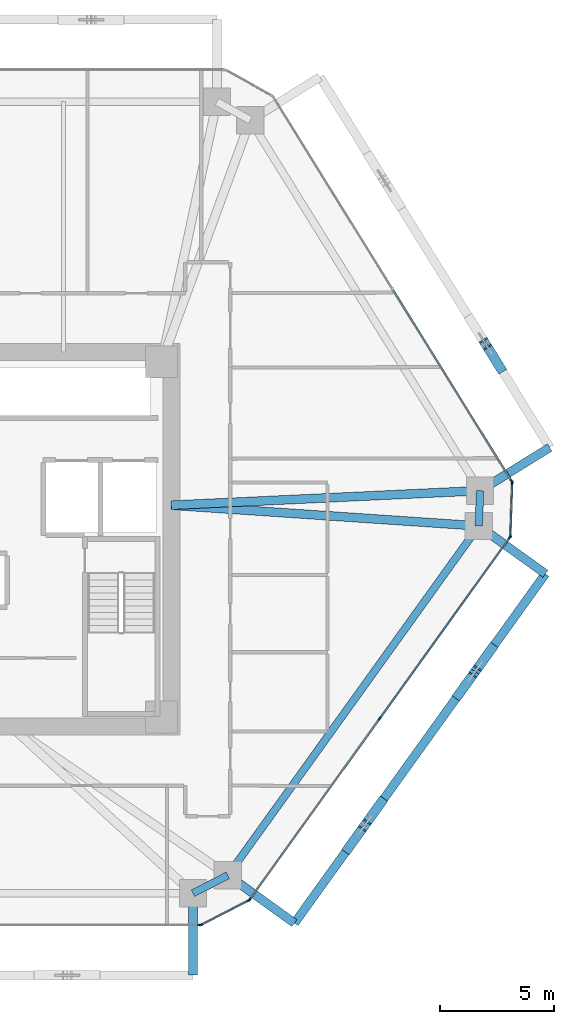
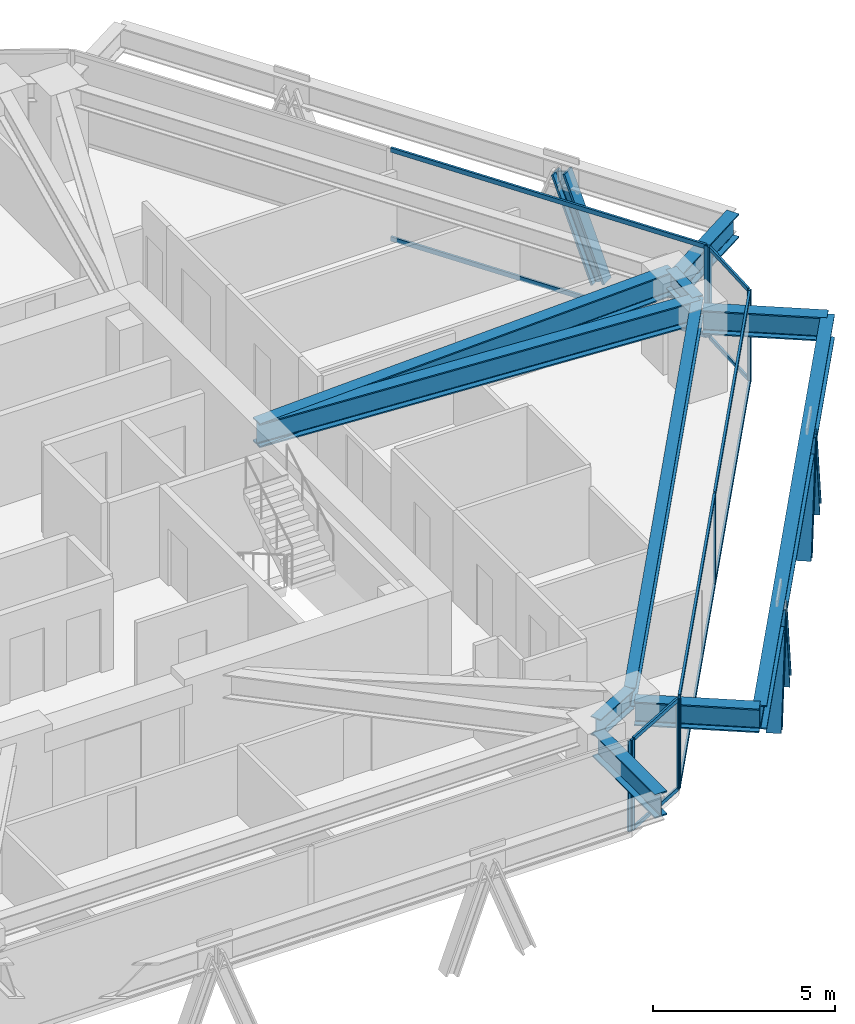
# One storey, part 5 of 16: 24 members, 10 beams, 5 elements without a shape of their own.
"""IFC4 building model written with IfcOpenShell, lengths in metres."""

from ifc_helpers import new_model, si_unit, direction, frame, origin, origin_2d, place, context, subcontext, project, spatial, rectangle, i_section, extrude, source, transform, mapped, material, layer, layer_set, material_profile, profile_set, type_object, type_shapes, element, aggregate, save


model = new_model("IFC4")

# Units and contexts
model_context = context("Model", 3, precision=1e-05, world=origin(), true_north=direction((0.0, 1.0)))
body_context = subcontext(model_context, "Body", "Model", "MODEL_VIEW")
ifc_project = project(units=[si_unit("LENGTHUNIT", "METRE"), si_unit("AREAUNIT", "SQUARE_METRE"), si_unit("VOLUMEUNIT", "CUBIC_METRE"), si_unit("PLANEANGLEUNIT", "RADIAN"), si_unit("MASSUNIT", "GRAM", prefix="KILO")], contexts=[model_context])

# Site, building, storey
site_placement = place(None, origin())
site = spatial("IfcSite", under=ifc_project, at=site_placement, CompositionType="ELEMENT")
building_placement = place(site_placement, origin())
building = spatial("IfcBuilding", under=site, at=building_placement, Name="Durnholm Broadcast Tower", CompositionType="ELEMENT")
storey_placement = place(building_placement, frame((0.0, 0.0, 130.5)))
storey = spatial("IfcBuildingStorey", under=building, at=storey_placement, Name="L35", CompositionType="ELEMENT", Elevation=130.5)

# Beams
ifc_material_1 = material(Name="Steel ASTM A992 Grade 50", Category="steel")
ifc_material_profile_1 = material_profile(ifc_material_1, i_section(OverallWidth=0.385009765625, OverallDepth=0.802978515625, WebThickness=0.023681640625, FlangeThickness=0.0419921875, FilletRadius=0.032958984375, at=origin_2d()), Name="W30X261")
ifc_profile_set_1 = profile_set([ifc_material_profile_1], Name="Steel ASTM A992 Grade 50")
beam_type_1 = type_object("IfcBeamType", Name="BM-EXO-TIE", PredefinedType="USERDEFINED", material=ifc_profile_set_1)
shared_shape_1 = source(origin(), body_context, "Body", "SweptSolid", [
    extrude(i_section(OverallWidth=0.385009765625, OverallDepth=0.802978515625, WebThickness=0.023681640625, FlangeThickness=0.0419921875, FilletRadius=0.032958984375, at=origin_2d()), origin(), (0.0, 0.0, 1.0), 3.4560546875),
])
for number, where, z_axis, x_axis, name in (
    (1, (11.176025390625, -15.680908203125, 2.30859375), (0.0, -1.0, 0.0), (1.0, 0.0, 0.0), "L35 exoskeleton stand-off tie bracket F1.2"),
    (2, (12.826904296875, -14.834228515625, 2.30859375), (0.812164951739, -0.583427880005, 0.0), (0.583427880005, 0.812164951739, 0.0), "L35 exoskeleton stand-off tie bracket F2.1"),
    (3, (23.844970703125, 0.5029296875, 2.30859375), (0.812164951739, -0.583427880005, 0.0), (0.583427880005, 0.812164951739, 0.0), "L35 exoskeleton stand-off tie bracket F2.2"),
    (4, (23.903076171875, 2.21240234375, 2.30859375), (0.849795112316, 0.527113144481, 0.0), (-0.527113144481, 0.849795112316, 0.0), "L35 exoskeleton stand-off tie bracket F3.1"),
):
    element("IfcBeam", number, at=place(storey_placement, frame(where, z_axis=z_axis, x_axis=x_axis)), inside=storey, type_object=beam_type_1, Name=name, ObjectType="GIRDER", PredefinedType="USERDEFINED", context=body_context, shape_type="MappedRepresentation", body=[
        mapped(shared_shape_1, transform((0.0, 0.0, 0.0), x_axis=(1.0, 0.0, 0.0), y_axis=(0.0, 1.0, 0.0), z_axis=(0.0, 0.0, 1.0), scale=1.0)),
    ])
ifc_material_profile_2 = material_profile(ifc_material_1, i_section(OverallWidth=0.3291015625, OverallDepth=0.635009765625, WebThickness=0.017822265625, FlangeThickness=0.031005859375, FilletRadius=0.02783203125, at=origin_2d()), Name="W24X162")
ifc_profile_set_2 = profile_set([ifc_material_profile_2], Name="Steel ASTM A992 Grade 50")
beam_type_2 = type_object("IfcBeamType", Name="STL-SP-W24X162", PredefinedType="SPANDREL", material=ifc_profile_set_2)
shared_shape_2 = source(origin(), body_context, "Body", "SweptSolid", [
    extrude(i_section(OverallWidth=0.3291015625, OverallDepth=0.635009765625, WebThickness=0.017822265625, FlangeThickness=0.031005859375, FilletRadius=0.02783203125, at=origin_2d()), origin(), (0.0, 0.0, 1.0), 18.884521484375),
])
beam_1_placement = place(storey_placement, frame((23.72802734375, 0.5869140625, 2.7275390625), z_axis=(-0.583443434414, -0.812153777827, 0.0), x_axis=(0.812153777827, -0.583443434414, 0.0)))
element("IfcBeam", 5, at=beam_1_placement, inside=storey, type_object=beam_type_2, Name="L35 perimeter spandrel girder 09", PredefinedType="SPANDREL", context=body_context, shape_type="MappedRepresentation", body=[
    mapped(shared_shape_2, transform((0.0, 0.0, 0.0), x_axis=(1.0, 0.0, 0.0), y_axis=(0.0, 1.0, 0.0), z_axis=(0.0, 0.0, 1.0), scale=1.0)),
])
shared_shape_3 = source(origin(), body_context, "Body", "SweptSolid", [
    extrude(i_section(OverallWidth=0.3291015625, OverallDepth=0.635009765625, WebThickness=0.017822265625, FlangeThickness=0.031005859375, FilletRadius=0.02783203125, at=origin_2d()), origin(), (0.0, 0.0, 1.0), 1.723876953125),
])
beam_2_placement = place(storey_placement, frame((12.7099609375, -14.750244140625, 2.7275390625), z_axis=(-0.889762904339, -0.456423020959, 0.0), x_axis=(0.456423020959, -0.889762904339, 0.0)))
element("IfcBeam", 6, at=beam_2_placement, inside=storey, type_object=beam_type_2, Name="L35 perimeter spandrel girder 10", PredefinedType="SPANDREL", context=body_context, shape_type="MappedRepresentation", body=[
    mapped(shared_shape_3, transform((0.0, 0.0, 0.0), x_axis=(1.0, 0.0, 0.0), y_axis=(0.0, 1.0, 0.0), z_axis=(0.0, 0.0, 1.0), scale=1.0)),
])
shared_shape_4 = source(origin(), body_context, "Body", "SweptSolid", [
    extrude(i_section(OverallWidth=0.3291015625, OverallDepth=0.635009765625, WebThickness=0.017822265625, FlangeThickness=0.031005859375, FilletRadius=0.02783203125, at=origin_2d()), origin(), (0.0, 0.0, 1.0), 1.55078125),
])
type_shapes(beam_type_2, [shared_shape_2, shared_shape_3, shared_shape_4])
beam_3_placement = place(storey_placement, frame((23.78076171875, 2.13671875, 2.7275390625), z_axis=(-0.03400678419, -0.999421602042, 0.0), x_axis=(0.999421602042, -0.03400678419, 0.0)))
element("IfcBeam", 7, at=beam_3_placement, inside=storey, type_object=beam_type_2, Name="L35 perimeter spandrel girder 08", PredefinedType="SPANDREL", context=body_context, shape_type="MappedRepresentation", body=[
    mapped(shared_shape_4, transform((0.0, 0.0, 0.0), x_axis=(1.0, 0.0, 0.0), y_axis=(0.0, 1.0, 0.0), z_axis=(0.0, 0.0, 1.0), scale=1.0)),
])
ifc_material_profile_3 = material_profile(ifc_material_1, i_section(OverallWidth=0.385009765625, OverallDepth=0.802978515625, WebThickness=0.023681640625, FlangeThickness=0.0419921875, FilletRadius=0.032958984375, at=origin_2d()), Name="W30X261")
ifc_profile_set_3 = profile_set([ifc_material_profile_3], Name="Steel ASTM A992 Grade 50")
beam_type_3 = type_object("IfcBeamType", Name="STL-GR-W30X261", PredefinedType="USERDEFINED", material=ifc_profile_set_3)
shared_shape_5 = source(origin(), body_context, "Body", "SweptSolid", [
    extrude(i_section(OverallWidth=0.385009765625, OverallDepth=0.802978515625, WebThickness=0.023681640625, FlangeThickness=0.0419921875, FilletRadius=0.032958984375, at=origin_2d()), origin(), (0.0, 0.0, 1.0), 13.570556640625),
])
beam_4_placement = place(storey_placement, frame((10.22509765625, 1.5, 2.6435546875), z_axis=(0.99889869961, 0.046918950518, 0.0), x_axis=(-0.046918950518, 0.99889869961, 0.0)))
element("IfcBeam", 8, at=beam_4_placement, inside=storey, type_object=beam_type_3, Name="L35 radial primary floor girder 08", ObjectType="GIRDER", PredefinedType="USERDEFINED", context=body_context, shape_type="MappedRepresentation", body=[
    mapped(shared_shape_5, transform((0.0, 0.0, 0.0), x_axis=(1.0, 0.0, 0.0), y_axis=(0.0, 1.0, 0.0), z_axis=(0.0, 0.0, 1.0), scale=1.0)),
])
shared_shape_6 = source(origin(), body_context, "Body", "SweptSolid", [
    extrude(i_section(OverallWidth=0.385009765625, OverallDepth=0.802978515625, WebThickness=0.023681640625, FlangeThickness=0.0419921875, FilletRadius=0.032958984375, at=origin_2d()), origin(), (0.0, 0.0, 1.0), 13.53369140625),
])
type_shapes(beam_type_3, [shared_shape_5, shared_shape_6])
beam_5_placement = place(storey_placement, frame((10.22509765625, 1.5, 2.6435546875), z_axis=(0.99772148964, -0.067467244725, 0.0), x_axis=(0.067467244725, 0.99772148964, 0.0)))
element("IfcBeam", 9, at=beam_5_placement, inside=storey, type_object=beam_type_3, Name="L35 radial primary floor girder 09", ObjectType="GIRDER", PredefinedType="USERDEFINED", context=body_context, shape_type="MappedRepresentation", body=[
    mapped(shared_shape_6, transform((0.0, 0.0, 0.0), x_axis=(1.0, 0.0, 0.0), y_axis=(0.0, 1.0, 0.0), z_axis=(0.0, 0.0, 1.0), scale=1.0)),
])
shared_shape_7 = source(origin(), body_context, "Body", "SweptSolid", [
    extrude(i_section(OverallWidth=0.385009765625, OverallDepth=0.802978515625, WebThickness=0.023681640625, FlangeThickness=0.0419921875, FilletRadius=0.032958984375, at=origin_2d()), origin(), (0.0, 0.0, 1.0), 18.884521484375),
])
type_shapes(beam_type_1, [shared_shape_1, shared_shape_7])
beam_6_placement = place(storey_placement, frame((15.6337890625, -16.8505859375, 2.30859375), z_axis=(0.583443434414, 0.812153777827, 0.0), x_axis=(-0.812153777827, 0.583443434414, 0.0)))
element("IfcBeam", 10, at=beam_6_placement, inside=storey, type_object=beam_type_1, Name="L35 exoskeleton collector spandrel F2", PredefinedType="SPANDREL", context=body_context, shape_type="MappedRepresentation", body=[
    mapped(shared_shape_7, transform((0.0, 0.0, 0.0), x_axis=(1.0, 0.0, 0.0), y_axis=(0.0, 1.0, 0.0), z_axis=(0.0, 0.0, 1.0), scale=1.0)),
])

# Members
ifc_material_2 = material(Name="Steel ASTM A913 Grade 65", Category="steel")
ifc_material_profile_4 = material_profile(ifc_material_2, i_section(OverallWidth=0.41845703125, OverallDepth=0.455078125, WebThickness=0.0419921875, FlangeThickness=0.067626953125, FilletRadius=0.030517578125, at=origin_2d()), Name="W14X370")
ifc_profile_set_4 = profile_set([ifc_material_profile_4], Name="Steel ASTM A913 Grade 65")
member_type_1 = type_object("IfcMemberType", Name="STL-DG-W14X370", PredefinedType="BRACE", material=ifc_profile_set_4)
shared_shape_8 = source(origin(), body_context, "Body", "SweptSolid", [
    extrude(i_section(OverallWidth=0.41845703125, OverallDepth=0.455078125, WebThickness=0.0419921875, FlangeThickness=0.067626953125, FilletRadius=0.030517578125, at=origin_2d()), origin(), (0.0, 0.0, 1.0), 3.523193359375),
])
type_shapes(member_type_1, [shared_shape_8])
for number, where, z_axis, x_axis, name in (
    (11, (17.9990234375, -13.558349609375, -0.991455078125), (0.204287819296, 0.284395254542, 0.936688756248), (-0.812179469647, 0.583407669717, 0.0), "L35 stand-off diagrid brace F2.D1.1"),
    (12, (19.438720703125, -11.55419921875, -0.991455078125), (-0.204350195342, -0.284454917557, 0.936657033039), (0.812153063014, -0.583444429434, 0.0), "L35 stand-off diagrid brace F2.D1.2"),
    (13, (22.846923828125, -6.81005859375, -0.991455078125), (0.204350195342, 0.284454917557, 0.936657033039), (-0.812153063014, 0.583444429434, 0.0), "L35 stand-off diagrid brace F2.D2.1"),
    (14, (24.28662109375, -4.805908203125, -0.991455078125), (-0.204287819296, -0.284395254542, 0.936688756248), (0.812179469647, -0.583407669717, 0.0), "L35 stand-off diagrid brace F2.D2.2"),
    (15, (24.66552734375, 7.539794921875, -0.991455078125), (-0.184602835855, 0.297623566065, 0.936665364961), (-0.849805205368, -0.527096872433, 0.0), "L35 stand-off diagrid brace F3.D1.1"),
):
    element("IfcMember", number, at=place(storey_placement, frame(where, z_axis=z_axis, x_axis=x_axis)), inside=storey, type_object=member_type_1, Name=name, PredefinedType="BRACE", context=body_context, shape_type="MappedRepresentation", body=[
        mapped(shared_shape_8, transform((0.0, 0.0, 0.0), x_axis=(1.0, 0.0, 0.0), y_axis=(0.0, 1.0, 0.0), z_axis=(0.0, 0.0, 1.0), scale=1.0)),
    ])

# Curtain wall, members
ifc_material_3 = material(Name="Aluminium and Solar Control IGU", Category="aluminium")
ifc_layer_1 = layer(ifc_material_3, 0.1650390625)
ifc_layer_set_1 = layer_set([ifc_layer_1], Name="Aluminium and Solar Control IGU")
curtain_wall_type_1 = type_object("IfcCurtainWallType", Name="CW-SYS-5", PredefinedType="NOTDEFINED", material=ifc_layer_set_1)
curtain_wall_1_placement = place(storey_placement, origin())
curtain_wall_1 = element("IfcCurtainWall", 16, at=curtain_wall_1_placement, inside=storey, type_object=curtain_wall_type_1, Name="L35 curtain wall CW-CORNER CW-L35-CRN-07", PredefinedType="NOTDEFINED")
ifc_material_4 = material(Name="Aluminium 6063-T6", Category="aluminium")
ifc_material_profile_5 = material_profile(ifc_material_4, rectangle(XDim=0.06494140625, YDim=0.1650390625, at=origin_2d()), Name="CWM65X165")
ifc_profile_set_5 = profile_set([ifc_material_profile_5], Name="Aluminium 6063-T6")
member_type_2 = type_object("IfcMemberType", Name="CW-SYS-5-MUL", PredefinedType="MULLION", material=ifc_profile_set_5)
shared_shape_9 = source(origin(), body_context, "Body", "SweptSolid", [
    extrude(rectangle(XDim=0.06494140625, YDim=0.1650390625, at=origin_2d()), origin(), (0.0, 0.0, 1.0), 3.06005859375),
])
type_shapes(member_type_2, [shared_shape_9])
member_1_placement = place(storey_placement, frame((25.193115234375, 2.481201171875, 0.0), z_axis=(0.0, 0.0, 1.0), x_axis=(0.999424655155, -0.033916937775, 0.0)))
member_1 = element("IfcMember", 17, at=member_1_placement, type_object=member_type_2, Name="CW-CORNER mullion 1", PredefinedType="MULLION", context=body_context, shape_type="MappedRepresentation", body=[
    mapped(shared_shape_9, transform((0.0, 0.0, 0.0), x_axis=(1.0, 0.0, 0.0), y_axis=(0.0, 1.0, 0.0), z_axis=(0.0, 0.0, 1.0), scale=1.0)),
])
member_2_placement = place(storey_placement, frame((25.114013671875, 0.1474609375, 0.0), z_axis=(0.0, 0.0, 1.0), x_axis=(0.999424655155, -0.033916937775, 0.0)))
member_2 = element("IfcMember", 18, at=member_2_placement, type_object=member_type_2, Name="CW-CORNER mullion 2", PredefinedType="MULLION", context=body_context, shape_type="MappedRepresentation", body=[
    mapped(shared_shape_9, transform((0.0, 0.0, 0.0), x_axis=(1.0, 0.0, 0.0), y_axis=(0.0, 1.0, 0.0), z_axis=(0.0, 0.0, 1.0), scale=1.0)),
])

curtain_wall_2_placement = place(storey_placement, origin())
curtain_wall_2 = element("IfcCurtainWall", 19, at=curtain_wall_2_placement, inside=storey, type_object=curtain_wall_type_1, Name="L35 curtain wall CW-CORNER CW-L35-CRN-09", PredefinedType="NOTDEFINED")
member_3_placement = place(storey_placement, frame((13.620849609375, -15.8564453125, 0.0), z_axis=(0.0, 0.0, 1.0), x_axis=(0.45637332267, -0.889788396392, 0.0)))
member_3 = element("IfcMember", 20, at=member_3_placement, type_object=member_type_2, Name="CW-CORNER mullion 1", PredefinedType="MULLION", context=body_context, shape_type="MappedRepresentation", body=[
    mapped(shared_shape_9, transform((0.0, 0.0, 0.0), x_axis=(1.0, 0.0, 0.0), y_axis=(0.0, 1.0, 0.0), z_axis=(0.0, 0.0, 1.0), scale=1.0)),
])
member_4_placement = place(storey_placement, frame((11.543212890625, -16.922119140625, 0.0), z_axis=(0.0, 0.0, 1.0), x_axis=(0.45637332267, -0.889788396392, 0.0)))
member_4 = element("IfcMember", 21, at=member_4_placement, type_object=member_type_2, Name="CW-CORNER mullion 2", PredefinedType="MULLION", context=body_context, shape_type="MappedRepresentation", body=[
    mapped(shared_shape_9, transform((0.0, 0.0, 0.0), x_axis=(1.0, 0.0, 0.0), y_axis=(0.0, 1.0, 0.0), z_axis=(0.0, 0.0, 1.0), scale=1.0)),
])

# Curtain wall, member
ifc_layer_2 = layer(ifc_material_3, 0.18994140625)
ifc_layer_set_2 = layer_set([ifc_layer_2], Name="Aluminium and Solar Control IGU")
curtain_wall_type_2 = type_object("IfcCurtainWallType", Name="CW-SYS-3", PredefinedType="NOTDEFINED", material=ifc_layer_set_2)
curtain_wall_3_placement = place(storey_placement, origin())
curtain_wall_3 = element("IfcCurtainWall", 22, at=curtain_wall_3_placement, inside=storey, type_object=curtain_wall_type_2, Name="L35 curtain wall CW-Z12-VIS CW-L35-F06", PredefinedType="NOTDEFINED")
ifc_material_profile_6 = material_profile(ifc_material_4, rectangle(XDim=0.070068359375, YDim=0.18994140625, at=origin_2d()), Name="CWM70X190")
ifc_profile_set_6 = profile_set([ifc_material_profile_6], Name="Aluminium 6063-T6")
member_type_3 = type_object("IfcMemberType", Name="CW-SYS-3-MUL", PredefinedType="MULLION", material=ifc_profile_set_6)
shared_shape_10 = source(origin(), body_context, "Body", "SweptSolid", [
    extrude(rectangle(XDim=0.070068359375, YDim=0.18994140625, at=origin_2d()), origin(), (0.0, 0.0, 1.0), 3.06005859375),
])
type_shapes(member_type_3, [shared_shape_10])
member_5_placement = place(storey_placement, frame((25.17578125, 2.54345703125, 0.0), z_axis=(0.0, 0.0, 1.0), x_axis=(0.849799925229, 0.527105385176, 0.0)))
member_5 = element("IfcMember", 23, at=member_5_placement, type_object=member_type_3, Name="CW-Z12-VIS mullion 3", PredefinedType="MULLION", context=body_context, shape_type="MappedRepresentation", body=[
    mapped(shared_shape_10, transform((0.0, 0.0, 0.0), x_axis=(1.0, 0.0, 0.0), y_axis=(0.0, 1.0, 0.0), z_axis=(0.0, 0.0, 1.0), scale=1.0)),
])

# Curtain wall, members
curtain_wall_4_placement = place(storey_placement, origin())
curtain_wall_4 = element("IfcCurtainWall", 24, at=curtain_wall_4_placement, inside=storey, type_object=curtain_wall_type_2, Name="L35 curtain wall CW-Z12-VIS CW-L35-F08", PredefinedType="NOTDEFINED")
member_6_placement = place(storey_placement, frame((25.092529296875, 0.086669921875, 0.0), z_axis=(0.0, 0.0, 1.0), x_axis=(0.812152312759, -0.583445473786, 0.0)))
member_6 = element("IfcMember", 25, at=member_6_placement, type_object=member_type_3, Name="CW-Z12-VIS mullion 1", PredefinedType="MULLION", context=body_context, shape_type="MappedRepresentation", body=[
    mapped(shared_shape_10, transform((0.0, 0.0, 0.0), x_axis=(1.0, 0.0, 0.0), y_axis=(0.0, 1.0, 0.0), z_axis=(0.0, 0.0, 1.0), scale=1.0)),
])
member_7_placement = place(storey_placement, frame((19.38134765625, -7.86328125, 0.0), z_axis=(0.0, 0.0, 1.0), x_axis=(0.812152312759, -0.583445473786, 0.0)))
member_7 = element("IfcMember", 26, at=member_7_placement, type_object=member_type_3, Name="CW-Z12-VIS mullion 2", PredefinedType="MULLION", context=body_context, shape_type="MappedRepresentation", body=[
    mapped(shared_shape_10, transform((0.0, 0.0, 0.0), x_axis=(1.0, 0.0, 0.0), y_axis=(0.0, 1.0, 0.0), z_axis=(0.0, 0.0, 1.0), scale=1.0)),
])
member_8_placement = place(storey_placement, frame((13.670166015625, -15.813232421875, 0.0), z_axis=(0.0, 0.0, 1.0), x_axis=(0.812152312759, -0.583445473786, 0.0)))
member_8 = element("IfcMember", 27, at=member_8_placement, type_object=member_type_3, Name="CW-Z12-VIS mullion 3", PredefinedType="MULLION", context=body_context, shape_type="MappedRepresentation", body=[
    mapped(shared_shape_10, transform((0.0, 0.0, 0.0), x_axis=(1.0, 0.0, 0.0), y_axis=(0.0, 1.0, 0.0), z_axis=(0.0, 0.0, 1.0), scale=1.0)),
])

# Curtain wall, member
curtain_wall_5_placement = place(storey_placement, origin())
curtain_wall_5 = element("IfcCurtainWall", 28, at=curtain_wall_5_placement, inside=storey, type_object=curtain_wall_type_2, Name="L35 curtain wall CW-Z12-VIS CW-L35-F10", PredefinedType="NOTDEFINED")
member_9_placement = place(storey_placement, frame((11.479248046875, -16.93701171875, 0.0), z_axis=(0.0, 0.0, 1.0), x_axis=(0.0, -1.0, 0.0)))
member_9 = element("IfcMember", 29, at=member_9_placement, type_object=member_type_3, Name="CW-Z12-VIS mullion 1", PredefinedType="MULLION", context=body_context, shape_type="MappedRepresentation", body=[
    mapped(shared_shape_10, transform((0.0, 0.0, 0.0), x_axis=(1.0, 0.0, 0.0), y_axis=(0.0, 1.0, 0.0), z_axis=(0.0, 0.0, 1.0), scale=1.0)),
])
aggregate(curtain_wall_5, [member_9])

# Member
ifc_material_profile_7 = material_profile(ifc_material_4, rectangle(XDim=0.06494140625, YDim=0.1298828125, at=origin_2d()), Name="CWT65X130")
ifc_profile_set_7 = profile_set([ifc_material_profile_7], Name="Aluminium 6063-T6")
member_type_4 = type_object("IfcMemberType", Name="CW-SYS-5-TRN", PredefinedType="USERDEFINED", material=ifc_profile_set_7)
shared_shape_11 = source(origin(), body_context, "Body", "SweptSolid", [
    extrude(rectangle(XDim=0.06494140625, YDim=0.1298828125, at=origin_2d()), origin(), (0.0, 0.0, 1.0), 2.27001953125),
])
type_shapes(member_type_4, [shared_shape_11])
member_10_placement = place(storey_placement, frame((25.192138671875, 2.44873046875, 0.032470703125), z_axis=(-0.03398444704, -0.999422361847, 0.0), x_axis=(0.999422361847, -0.03398444704, 0.0)))
member_10 = element("IfcMember", 30, at=member_10_placement, type_object=member_type_4, Name="CW-CORNER transom 1.1", ObjectType="TRANSOM", PredefinedType="USERDEFINED", context=body_context, shape_type="MappedRepresentation", body=[
    mapped(shared_shape_11, transform((0.0, 0.0, 0.0), x_axis=(1.0, 0.0, 0.0), y_axis=(0.0, 1.0, 0.0), z_axis=(0.0, 0.0, 1.0), scale=1.0)),
])

member_11_placement = place(storey_placement, frame((25.192138671875, 2.44873046875, 3.027587890625), z_axis=(-0.03398444704, -0.999422361847, 0.0), x_axis=(0.999422361847, -0.03398444704, 0.0)))
member_11 = element("IfcMember", 31, at=member_11_placement, type_object=member_type_4, Name="CW-CORNER transom 1.2", ObjectType="TRANSOM", PredefinedType="USERDEFINED", context=body_context, shape_type="MappedRepresentation", body=[
    mapped(shared_shape_11, transform((0.0, 0.0, 0.0), x_axis=(1.0, 0.0, 0.0), y_axis=(0.0, 1.0, 0.0), z_axis=(0.0, 0.0, 1.0), scale=1.0)),
])

aggregate(curtain_wall_1, [member_1, member_2, member_10, member_11])

member_12_placement = place(storey_placement, frame((13.591796875, -15.871337890625, 0.032470703125), z_axis=(-0.889798425843, -0.456353767781, 0.0), x_axis=(0.456353767781, -0.889798425843, 0.0)))
member_12 = element("IfcMember", 32, at=member_12_placement, type_object=member_type_4, Name="CW-CORNER transom 1.1", ObjectType="TRANSOM", PredefinedType="USERDEFINED", context=body_context, shape_type="MappedRepresentation", body=[
    mapped(shared_shape_11, transform((0.0, 0.0, 0.0), x_axis=(1.0, 0.0, 0.0), y_axis=(0.0, 1.0, 0.0), z_axis=(0.0, 0.0, 1.0), scale=1.0)),
])

member_13_placement = place(storey_placement, frame((13.591796875, -15.871337890625, 3.027587890625), z_axis=(-0.889798425843, -0.456353767781, 0.0), x_axis=(0.456353767781, -0.889798425843, 0.0)))
member_13 = element("IfcMember", 33, at=member_13_placement, type_object=member_type_4, Name="CW-CORNER transom 1.2", ObjectType="TRANSOM", PredefinedType="USERDEFINED", context=body_context, shape_type="MappedRepresentation", body=[
    mapped(shared_shape_11, transform((0.0, 0.0, 0.0), x_axis=(1.0, 0.0, 0.0), y_axis=(0.0, 1.0, 0.0), z_axis=(0.0, 0.0, 1.0), scale=1.0)),
])

aggregate(curtain_wall_2, [member_3, member_4, member_12, member_13])

ifc_material_profile_8 = material_profile(ifc_material_4, rectangle(XDim=0.070068359375, YDim=0.14990234375, at=origin_2d()), Name="CWT70X150")
ifc_profile_set_8 = profile_set([ifc_material_profile_8], Name="Aluminium 6063-T6")
member_type_5 = type_object("IfcMemberType", Name="CW-SYS-3-TRN", PredefinedType="USERDEFINED", material=ifc_profile_set_8)
shared_shape_12 = source(origin(), body_context, "Body", "SweptSolid", [
    extrude(rectangle(XDim=0.070068359375, YDim=0.14990234375, at=origin_2d()), origin(), (0.0, 0.0, 1.0), 9.71875),
])
member_14_placement = place(storey_placement, frame((25.072021484375, 0.05810546875, 0.034912109375), z_axis=(-0.583450726174, -0.812148539448, 0.0), x_axis=(0.812148539448, -0.583450726174, 0.0)))
member_14 = element("IfcMember", 34, at=member_14_placement, type_object=member_type_5, Name="CW-Z12-VIS transom 1.1", ObjectType="TRANSOM", PredefinedType="USERDEFINED", context=body_context, shape_type="MappedRepresentation", body=[
    mapped(shared_shape_12, transform((0.0, 0.0, 0.0), x_axis=(1.0, 0.0, 0.0), y_axis=(0.0, 1.0, 0.0), z_axis=(0.0, 0.0, 1.0), scale=1.0)),
])

member_15_placement = place(storey_placement, frame((25.072021484375, 0.05810546875, 3.02490234375), z_axis=(-0.583450726174, -0.812148539448, 0.0), x_axis=(0.812148539448, -0.583450726174, 0.0)))
member_15 = element("IfcMember", 35, at=member_15_placement, type_object=member_type_5, Name="CW-Z12-VIS transom 1.2", ObjectType="TRANSOM", PredefinedType="USERDEFINED", context=body_context, shape_type="MappedRepresentation", body=[
    mapped(shared_shape_12, transform((0.0, 0.0, 0.0), x_axis=(1.0, 0.0, 0.0), y_axis=(0.0, 1.0, 0.0), z_axis=(0.0, 0.0, 1.0), scale=1.0)),
])

member_16_placement = place(storey_placement, frame((19.36083984375, -7.891845703125, 0.034912109375), z_axis=(-0.583450726174, -0.812148539448, 0.0), x_axis=(0.812148539448, -0.583450726174, 0.0)))
member_16 = element("IfcMember", 36, at=member_16_placement, type_object=member_type_5, Name="CW-Z12-VIS transom 2.1", ObjectType="TRANSOM", PredefinedType="USERDEFINED", context=body_context, shape_type="MappedRepresentation", body=[
    mapped(shared_shape_12, transform((0.0, 0.0, 0.0), x_axis=(1.0, 0.0, 0.0), y_axis=(0.0, 1.0, 0.0), z_axis=(0.0, 0.0, 1.0), scale=1.0)),
])

member_17_placement = place(storey_placement, frame((19.36083984375, -7.891845703125, 3.02490234375), z_axis=(-0.583450726174, -0.812148539448, 0.0), x_axis=(0.812148539448, -0.583450726174, 0.0)))
member_17 = element("IfcMember", 37, at=member_17_placement, type_object=member_type_5, Name="CW-Z12-VIS transom 2.2", ObjectType="TRANSOM", PredefinedType="USERDEFINED", context=body_context, shape_type="MappedRepresentation", body=[
    mapped(shared_shape_12, transform((0.0, 0.0, 0.0), x_axis=(1.0, 0.0, 0.0), y_axis=(0.0, 1.0, 0.0), z_axis=(0.0, 0.0, 1.0), scale=1.0)),
])

aggregate(curtain_wall_4, [member_6, member_7, member_8, member_14, member_15, member_16, member_17])

shared_shape_13 = source(origin(), body_context, "Body", "SweptSolid", [
    extrude(rectangle(XDim=0.070068359375, YDim=0.14990234375, at=origin_2d()), origin(), (0.0, 0.0, 1.0), 9.859130859375),
])
type_shapes(member_type_5, [shared_shape_12, shared_shape_13])
member_18_placement = place(storey_placement, frame((19.960693359375, 10.951171875, 0.034912109375), z_axis=(0.527108872232, -0.849797762303, 0.0), x_axis=(0.849797762303, 0.527108872232, 0.0)))
member_18 = element("IfcMember", 38, at=member_18_placement, type_object=member_type_5, Name="CW-Z12-VIS transom 2.1", ObjectType="TRANSOM", PredefinedType="USERDEFINED", context=body_context, shape_type="MappedRepresentation", body=[
    mapped(shared_shape_13, transform((0.0, 0.0, 0.0), x_axis=(1.0, 0.0, 0.0), y_axis=(0.0, 1.0, 0.0), z_axis=(0.0, 0.0, 1.0), scale=1.0)),
])

member_19_placement = place(storey_placement, frame((19.960693359375, 10.951171875, 3.02490234375), z_axis=(0.527108872232, -0.849797762303, 0.0), x_axis=(0.849797762303, 0.527108872232, 0.0)))
member_19 = element("IfcMember", 39, at=member_19_placement, type_object=member_type_5, Name="CW-Z12-VIS transom 2.2", ObjectType="TRANSOM", PredefinedType="USERDEFINED", context=body_context, shape_type="MappedRepresentation", body=[
    mapped(shared_shape_13, transform((0.0, 0.0, 0.0), x_axis=(1.0, 0.0, 0.0), y_axis=(0.0, 1.0, 0.0), z_axis=(0.0, 0.0, 1.0), scale=1.0)),
])

aggregate(curtain_wall_3, [member_5, member_18, member_19])

save(model, "model.ifc")
